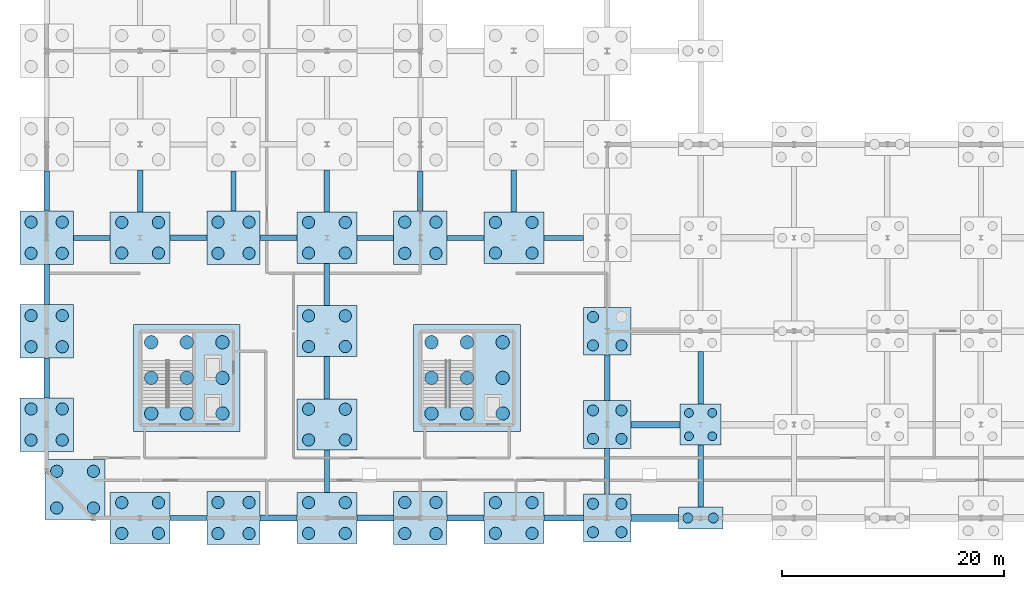
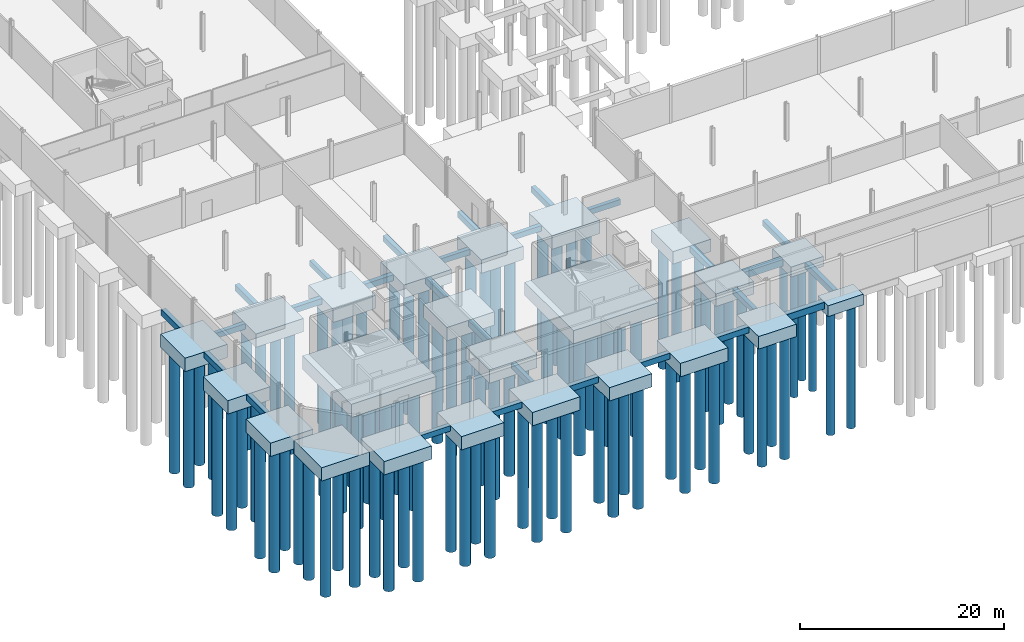
# One storey, part 1 of 51: 99 piles, 51 footings.
"""IFC4 building model written with IfcOpenShell, lengths in metres."""

from ifc_helpers import new_model, si_unit, direction, frame, origin, origin_2d, place, context, subcontext, project, spatial, rectangle, circle, extrude, material, material_profile, profile_set, type_object, element, save


model = new_model("IFC4")

# Units and contexts
model_context = context("Model", 3, precision=1e-05, world=origin(), true_north=direction((0.0, 1.0)))
body_context = subcontext(model_context, "Body", "Model", "MODEL_VIEW")
ifc_project = project(units=[si_unit("LENGTHUNIT", "METRE"), si_unit("AREAUNIT", "SQUARE_METRE"), si_unit("VOLUMEUNIT", "CUBIC_METRE"), si_unit("PLANEANGLEUNIT", "RADIAN"), si_unit("MASSUNIT", "GRAM", prefix="KILO")], contexts=[model_context])

# Site, building, storey
site_placement = place(None, origin())
site = spatial("IfcSite", under=ifc_project, at=site_placement, CompositionType="ELEMENT")
building_placement = place(site_placement, origin())
building = spatial("IfcBuilding", under=site, at=building_placement, Name="Qalvenar Corner Mobility Hub", CompositionType="ELEMENT")
storey_placement = place(building_placement, frame((0.0, 0.0, -4.5)))
storey = spatial("IfcBuildingStorey", under=building, at=storey_placement, Name="B1", CompositionType="ELEMENT", Elevation=-4.5)

# Footings
ifc_material = material(Name="Concrete C40/50", Category="concrete")
footing_type_1 = type_object("IfcFootingType", Name="PC-28X28X12", PredefinedType="PILE_CAP", material=ifc_material)
footing_1_placement = place(storey_placement, frame((58.800048828125, 8.39990234375, -1.5498046875), z_axis=(0.0, 0.0, 1.0), x_axis=(1.0, 0.0, 0.0)))
element("IfcFooting", 1, at=footing_1_placement, inside=storey, type_object=footing_type_1, Name="Pile Cap G8-1", PredefinedType="PILE_CAP", context=body_context, shape_type="SweptSolid", body=[
    extrude(rectangle(XDim=3.699951171875, YDim=3.699951171875, at=origin_2d()), origin(), (0.0, 0.0, 1.0), 1.199951171875),
])
footing_type_2 = type_object("IfcFootingType", Name="PC-32X24X13", PredefinedType="PILE_CAP", material=ifc_material)
footing_2_placement = place(storey_placement, frame((58.800048828125, 0.0, -1.64990234375), z_axis=(0.0, 0.0, 1.0), x_axis=(1.0, 0.0, 0.0)))
element("IfcFooting", 2, at=footing_2_placement, inside=storey, type_object=footing_type_2, Name="Pile Cap G8-0", PredefinedType="PILE_CAP", context=body_context, shape_type="SweptSolid", body=[
    extrude(rectangle(XDim=4.0, YDim=2.0, at=origin_2d()), origin(), (0.0, 0.0, 1.0), 1.300048828125),
])
footing_type_3 = type_object("IfcFootingType", Name="PC-38X38X15", PredefinedType="PILE_CAP", material=ifc_material)
for number, where, z_axis, x_axis, name in (
    (3, (50.39990234375, 0.0, -1.85009765625), (0.0, 0.0, 1.0), (1.0, 0.0, 0.0), "Pile Cap G7-0"),
    (4, (50.39990234375, 8.39990234375, -1.85009765625), (0.0, 0.0, 1.0), (1.0, 0.0, 0.0), "Pile Cap G7-1"),
    (5, (50.39990234375, 16.800048828125, -1.85009765625), (0.0, 0.0, 1.0), (1.0, 0.0, 0.0), "Pile Cap G7-2"),
):
    element("IfcFooting", number, at=place(storey_placement, frame(where, z_axis=z_axis, x_axis=x_axis)), inside=storey, type_object=footing_type_3, Name=name, PredefinedType="PILE_CAP", context=body_context, shape_type="SweptSolid", body=[
        extrude(rectangle(XDim=4.300048828125, YDim=4.300048828125, at=origin_2d()), origin(), (0.0, 0.0, 1.0), 1.5),
    ])
footing_type_4 = type_object("IfcFootingType", Name="PC-46X46X16", PredefinedType="PILE_CAP", material=ifc_material)
for number, where, z_axis, x_axis, name in (
    (6, (0.0, 8.39990234375, -1.949951171875), (0.0, 0.0, 1.0), (1.0, 0.0, 0.0), "Pile Cap G1-1"),
    (7, (0.0, 16.800048828125, -1.949951171875), (0.0, 0.0, 1.0), (1.0, 0.0, 0.0), "Pile Cap G1-2"),
    (8, (0.0, 25.199951171875, -1.949951171875), (0.0, 0.0, 1.0), (1.0, 0.0, 0.0), "Pile Cap G1-3"),
    (9, (16.800048828125, 0.0, -1.949951171875), (0.0, 0.0, 1.0), (1.0, 0.0, 0.0), "Pile Cap G3-0"),
    (10, (16.800048828125, 25.199951171875, -1.949951171875), (0.0, 0.0, 1.0), (1.0, 0.0, 0.0), "Pile Cap G3-3"),
    (11, (33.60009765625, 0.0, -1.949951171875), (0.0, 0.0, 1.0), (1.0, 0.0, 0.0), "Pile Cap G5-0"),
    (12, (33.60009765625, 25.199951171875, -1.949951171875), (0.0, 0.0, 1.0), (1.0, 0.0, 0.0), "Pile Cap G5-3"),
):
    element("IfcFooting", number, at=place(storey_placement, frame(where, z_axis=z_axis, x_axis=x_axis)), inside=storey, type_object=footing_type_4, Name=name, PredefinedType="PILE_CAP", context=body_context, shape_type="SweptSolid", body=[
        extrude(rectangle(XDim=4.800048828125, YDim=4.800048828125, at=origin_2d()), origin(), (0.0, 0.0, 1.0), 1.60009765625),
    ])
footing_type_5 = type_object("IfcFootingType", Name="PC-52X42X16", PredefinedType="PILE_CAP", material=ifc_material)
footing_3_placement = place(storey_placement, frame((2.550048828125, 2.550048828125, -1.949951171875), z_axis=(0.0, 0.0, 1.0), x_axis=(1.0, 0.0, 0.0)))
element("IfcFooting", 13, at=footing_3_placement, inside=storey, type_object=footing_type_5, Name="Corner Splay Pile Cap SW", PredefinedType="PILE_CAP", context=body_context, shape_type="SweptSolid", body=[
    extrude(rectangle(XDim=5.39990234375, YDim=5.39990234375, at=origin_2d()), origin(), (0.0, 0.0, 1.0), 1.60009765625),
])
for number, where, z_axis, x_axis, name in (
    (14, (8.39990234375, 0.0, -1.949951171875), (0.0, 0.0, 1.0), (1.0, 0.0, 0.0), "Pile Cap G2-0"),
    (15, (8.39990234375, 25.199951171875, -1.949951171875), (0.0, 0.0, 1.0), (1.0, 0.0, 0.0), "Pile Cap G2-3"),
    (16, (25.199951171875, 0.0, -1.949951171875), (0.0, 0.0, 1.0), (1.0, 0.0, 0.0), "Pile Cap G4-0"),
    (17, (25.199951171875, 8.39990234375, -1.949951171875), (0.0, 0.0, 1.0), (1.0, 0.0, 0.0), "Pile Cap G4-1"),
    (18, (25.199951171875, 16.800048828125, -1.949951171875), (0.0, 0.0, 1.0), (1.0, 0.0, 0.0), "Pile Cap G4-2"),
    (19, (25.199951171875, 25.199951171875, -1.949951171875), (0.0, 0.0, 1.0), (1.0, 0.0, 0.0), "Pile Cap G4-3"),
    (20, (42.0, 0.0, -1.949951171875), (0.0, 0.0, 1.0), (1.0, 0.0, 0.0), "Pile Cap G6-0"),
    (21, (42.0, 25.199951171875, -1.949951171875), (0.0, 0.0, 1.0), (1.0, 0.0, 0.0), "Pile Cap G6-3"),
):
    element("IfcFooting", number, at=place(storey_placement, frame(where, z_axis=z_axis, x_axis=x_axis)), inside=storey, type_object=footing_type_5, Name=name, PredefinedType="PILE_CAP", context=body_context, shape_type="SweptSolid", body=[
        extrude(rectangle(XDim=5.39990234375, YDim=4.60009765625, at=origin_2d()), origin(), (0.0, 0.0, 1.0), 1.60009765625),
    ])
footing_type_6 = type_object("IfcFootingType", Name="PC-96X96X16", PredefinedType="PILE_CAP", material=ifc_material)
for number, where, z_axis, x_axis, name in (
    (22, (12.60009765625, 12.60009765625, -1.949951171875), (0.0, 0.0, 1.0), (1.0, 0.0, 0.0), "Core Pile Cap C1"),
    (23, (37.800048828125, 12.60009765625, -1.949951171875), (0.0, 0.0, 1.0), (1.0, 0.0, 0.0), "Core Pile Cap C2"),
):
    element("IfcFooting", number, at=place(storey_placement, frame(where, z_axis=z_axis, x_axis=x_axis)), inside=storey, type_object=footing_type_6, Name=name, PredefinedType="PILE_CAP", context=body_context, shape_type="SweptSolid", body=[
        extrude(rectangle(XDim=9.60009765625, YDim=9.60009765625, at=origin_2d()), origin(), (0.0, 0.0, 1.0), 1.60009765625),
    ])

# Piles
ifc_material_profile_1 = material_profile(ifc_material, circle(Radius=0.5, at=origin_2d()), Name="DIA1000")
ifc_profile_set_1 = profile_set([ifc_material_profile_1], Name="Concrete C40/50")
pile_type_1 = type_object("IfcPileType", Name="PILE-1000", PredefinedType="BORED", material=ifc_profile_set_1)
for number, where, z_axis, x_axis, name in (
    (24, (49.1201171875, -1.280029296875, -1.699951171875), (0.0, 0.0, -1.0), (1.0, 0.0, 0.0), "Bored Pile G7-0-1"),
    (25, (49.1201171875, 1.280029296875, -1.699951171875), (0.0, 0.0, -1.0), (1.0, 0.0, 0.0), "Bored Pile G7-0-2"),
    (26, (51.679931640625, -1.280029296875, -1.699951171875), (0.0, 0.0, -1.0), (1.0, 0.0, 0.0), "Bored Pile G7-0-3"),
    (27, (51.679931640625, 1.280029296875, -1.699951171875), (0.0, 0.0, -1.0), (1.0, 0.0, 0.0), "Bored Pile G7-0-4"),
    (28, (49.1201171875, 7.1201171875, -1.699951171875), (0.0, 0.0, -1.0), (1.0, 0.0, 0.0), "Bored Pile G7-1-1"),
    (29, (49.1201171875, 9.679931640625, -1.699951171875), (0.0, 0.0, -1.0), (1.0, 0.0, 0.0), "Bored Pile G7-1-2"),
    (30, (51.679931640625, 7.1201171875, -1.699951171875), (0.0, 0.0, -1.0), (1.0, 0.0, 0.0), "Bored Pile G7-1-3"),
    (31, (51.679931640625, 9.679931640625, -1.699951171875), (0.0, 0.0, -1.0), (1.0, 0.0, 0.0), "Bored Pile G7-1-4"),
    (32, (49.1201171875, 15.52001953125, -1.699951171875), (0.0, 0.0, -1.0), (1.0, 0.0, 0.0), "Bored Pile G7-2-1"),
    (33, (49.1201171875, 18.080078125, -1.699951171875), (0.0, 0.0, -1.0), (1.0, 0.0, 0.0), "Bored Pile G7-2-2"),
    (34, (51.679931640625, 15.52001953125, -1.699951171875), (0.0, 0.0, -1.0), (1.0, 0.0, 0.0), "Bored Pile G7-2-3"),
):
    element("IfcPile", number, at=place(storey_placement, frame(where, z_axis=z_axis, x_axis=x_axis)), inside=storey, type_object=pile_type_1, Name=name, PredefinedType="BORED", context=body_context, shape_type="SweptSolid", body=[
        extrude(circle(Radius=0.5, at=origin_2d()), origin(), (0.0, 0.0, 1.0), 14.800048828125),
    ])
ifc_material_profile_2 = material_profile(ifc_material, circle(Radius=0.550048828125, at=origin_2d()), Name="DIA1100")
ifc_profile_set_2 = profile_set([ifc_material_profile_2], Name="Concrete C40/50")
pile_type_2 = type_object("IfcPileType", Name="PILE-1100", PredefinedType="BORED", material=ifc_profile_set_2)
for number, where, z_axis, x_axis, name in (
    (35, (0.89990234375, 0.89990234375, -1.800048828125), (0.0, 0.0, -1.0), (1.0, 0.0, 0.0), "Bored Pile SPL-1"),
    (36, (4.199951171875, 0.89990234375, -1.800048828125), (0.0, 0.0, -1.0), (1.0, 0.0, 0.0), "Bored Pile SPL-2"),
    (37, (0.89990234375, 4.199951171875, -1.800048828125), (0.0, 0.0, -1.0), (1.0, 0.0, 0.0), "Bored Pile SPL-3"),
    (38, (4.199951171875, 4.199951171875, -1.800048828125), (0.0, 0.0, -1.0), (1.0, 0.0, 0.0), "Bored Pile SPL-4"),
    (39, (-1.39990234375, 7.0, -1.800048828125), (0.0, 0.0, -1.0), (1.0, 0.0, 0.0), "Bored Pile G1-1-1"),
    (40, (-1.39990234375, 9.800048828125, -1.800048828125), (0.0, 0.0, -1.0), (1.0, 0.0, 0.0), "Bored Pile G1-1-2"),
    (41, (1.39990234375, 7.0, -1.800048828125), (0.0, 0.0, -1.0), (1.0, 0.0, 0.0), "Bored Pile G1-1-3"),
    (42, (1.39990234375, 9.800048828125, -1.800048828125), (0.0, 0.0, -1.0), (1.0, 0.0, 0.0), "Bored Pile G1-1-4"),
    (43, (-1.39990234375, 15.39990234375, -1.800048828125), (0.0, 0.0, -1.0), (1.0, 0.0, 0.0), "Bored Pile G1-2-1"),
    (44, (-1.39990234375, 18.199951171875, -1.800048828125), (0.0, 0.0, -1.0), (1.0, 0.0, 0.0), "Bored Pile G1-2-2"),
    (45, (1.39990234375, 15.39990234375, -1.800048828125), (0.0, 0.0, -1.0), (1.0, 0.0, 0.0), "Bored Pile G1-2-3"),
    (46, (1.39990234375, 18.199951171875, -1.800048828125), (0.0, 0.0, -1.0), (1.0, 0.0, 0.0), "Bored Pile G1-2-4"),
    (47, (-1.39990234375, 23.800048828125, -1.800048828125), (0.0, 0.0, -1.0), (1.0, 0.0, 0.0), "Bored Pile G1-3-1"),
    (48, (-1.39990234375, 26.60009765625, -1.800048828125), (0.0, 0.0, -1.0), (1.0, 0.0, 0.0), "Bored Pile G1-3-2"),
    (49, (1.39990234375, 23.800048828125, -1.800048828125), (0.0, 0.0, -1.0), (1.0, 0.0, 0.0), "Bored Pile G1-3-3"),
    (50, (1.39990234375, 26.60009765625, -1.800048828125), (0.0, 0.0, -1.0), (1.0, 0.0, 0.0), "Bored Pile G1-3-4"),
    (51, (6.75, -1.3798828125, -1.800048828125), (0.0, 0.0, -1.0), (1.0, 0.0, 0.0), "Bored Pile G2-0-1"),
    (52, (6.75, 1.3798828125, -1.800048828125), (0.0, 0.0, -1.0), (1.0, 0.0, 0.0), "Bored Pile G2-0-2"),
    (53, (10.050048828125, -1.3798828125, -1.800048828125), (0.0, 0.0, -1.0), (1.0, 0.0, 0.0), "Bored Pile G2-0-3"),
    (54, (10.050048828125, 1.3798828125, -1.800048828125), (0.0, 0.0, -1.0), (1.0, 0.0, 0.0), "Bored Pile G2-0-4"),
    (55, (6.75, 23.820068359375, -1.800048828125), (0.0, 0.0, -1.0), (1.0, 0.0, 0.0), "Bored Pile G2-3-1"),
    (56, (6.75, 26.580078125, -1.800048828125), (0.0, 0.0, -1.0), (1.0, 0.0, 0.0), "Bored Pile G2-3-2"),
    (57, (10.050048828125, 23.820068359375, -1.800048828125), (0.0, 0.0, -1.0), (1.0, 0.0, 0.0), "Bored Pile G2-3-3"),
    (58, (10.050048828125, 26.580078125, -1.800048828125), (0.0, 0.0, -1.0), (1.0, 0.0, 0.0), "Bored Pile G2-3-4"),
    (59, (15.39990234375, -1.39990234375, -1.800048828125), (0.0, 0.0, -1.0), (1.0, 0.0, 0.0), "Bored Pile G3-0-1"),
    (60, (15.39990234375, 1.39990234375, -1.800048828125), (0.0, 0.0, -1.0), (1.0, 0.0, 0.0), "Bored Pile G3-0-2"),
    (61, (18.199951171875, -1.39990234375, -1.800048828125), (0.0, 0.0, -1.0), (1.0, 0.0, 0.0), "Bored Pile G3-0-3"),
    (62, (18.199951171875, 1.39990234375, -1.800048828125), (0.0, 0.0, -1.0), (1.0, 0.0, 0.0), "Bored Pile G3-0-4"),
    (63, (15.39990234375, 23.800048828125, -1.800048828125), (0.0, 0.0, -1.0), (1.0, 0.0, 0.0), "Bored Pile G3-3-1"),
    (64, (15.39990234375, 26.60009765625, -1.800048828125), (0.0, 0.0, -1.0), (1.0, 0.0, 0.0), "Bored Pile G3-3-2"),
    (65, (18.199951171875, 23.800048828125, -1.800048828125), (0.0, 0.0, -1.0), (1.0, 0.0, 0.0), "Bored Pile G3-3-3"),
    (66, (18.199951171875, 26.60009765625, -1.800048828125), (0.0, 0.0, -1.0), (1.0, 0.0, 0.0), "Bored Pile G3-3-4"),
    (67, (23.550048828125, -1.3798828125, -1.800048828125), (0.0, 0.0, -1.0), (1.0, 0.0, 0.0), "Bored Pile G4-0-1"),
    (68, (23.550048828125, 1.3798828125, -1.800048828125), (0.0, 0.0, -1.0), (1.0, 0.0, 0.0), "Bored Pile G4-0-2"),
    (69, (26.85009765625, -1.3798828125, -1.800048828125), (0.0, 0.0, -1.0), (1.0, 0.0, 0.0), "Bored Pile G4-0-3"),
    (70, (26.85009765625, 1.3798828125, -1.800048828125), (0.0, 0.0, -1.0), (1.0, 0.0, 0.0), "Bored Pile G4-0-4"),
    (71, (23.550048828125, 7.02001953125, -1.800048828125), (0.0, 0.0, -1.0), (1.0, 0.0, 0.0), "Bored Pile G4-1-1"),
    (72, (23.550048828125, 9.780029296875, -1.800048828125), (0.0, 0.0, -1.0), (1.0, 0.0, 0.0), "Bored Pile G4-1-2"),
    (73, (26.85009765625, 7.02001953125, -1.800048828125), (0.0, 0.0, -1.0), (1.0, 0.0, 0.0), "Bored Pile G4-1-3"),
    (74, (26.85009765625, 9.780029296875, -1.800048828125), (0.0, 0.0, -1.0), (1.0, 0.0, 0.0), "Bored Pile G4-1-4"),
    (75, (23.550048828125, 15.419921875, -1.800048828125), (0.0, 0.0, -1.0), (1.0, 0.0, 0.0), "Bored Pile G4-2-1"),
    (76, (23.550048828125, 18.179931640625, -1.800048828125), (0.0, 0.0, -1.0), (1.0, 0.0, 0.0), "Bored Pile G4-2-2"),
    (77, (26.85009765625, 15.419921875, -1.800048828125), (0.0, 0.0, -1.0), (1.0, 0.0, 0.0), "Bored Pile G4-2-3"),
    (78, (26.85009765625, 18.179931640625, -1.800048828125), (0.0, 0.0, -1.0), (1.0, 0.0, 0.0), "Bored Pile G4-2-4"),
    (79, (23.550048828125, 23.820068359375, -1.800048828125), (0.0, 0.0, -1.0), (1.0, 0.0, 0.0), "Bored Pile G4-3-1"),
    (80, (23.550048828125, 26.580078125, -1.800048828125), (0.0, 0.0, -1.0), (1.0, 0.0, 0.0), "Bored Pile G4-3-2"),
    (81, (26.85009765625, 23.820068359375, -1.800048828125), (0.0, 0.0, -1.0), (1.0, 0.0, 0.0), "Bored Pile G4-3-3"),
    (82, (26.85009765625, 26.580078125, -1.800048828125), (0.0, 0.0, -1.0), (1.0, 0.0, 0.0), "Bored Pile G4-3-4"),
    (83, (32.199951171875, -1.39990234375, -1.800048828125), (0.0, 0.0, -1.0), (1.0, 0.0, 0.0), "Bored Pile G5-0-1"),
    (84, (32.199951171875, 1.39990234375, -1.800048828125), (0.0, 0.0, -1.0), (1.0, 0.0, 0.0), "Bored Pile G5-0-2"),
    (85, (35.0, -1.39990234375, -1.800048828125), (0.0, 0.0, -1.0), (1.0, 0.0, 0.0), "Bored Pile G5-0-3"),
    (86, (35.0, 1.39990234375, -1.800048828125), (0.0, 0.0, -1.0), (1.0, 0.0, 0.0), "Bored Pile G5-0-4"),
    (87, (32.199951171875, 23.800048828125, -1.800048828125), (0.0, 0.0, -1.0), (1.0, 0.0, 0.0), "Bored Pile G5-3-1"),
    (88, (32.199951171875, 26.60009765625, -1.800048828125), (0.0, 0.0, -1.0), (1.0, 0.0, 0.0), "Bored Pile G5-3-2"),
    (89, (35.0, 23.800048828125, -1.800048828125), (0.0, 0.0, -1.0), (1.0, 0.0, 0.0), "Bored Pile G5-3-3"),
    (90, (35.0, 26.60009765625, -1.800048828125), (0.0, 0.0, -1.0), (1.0, 0.0, 0.0), "Bored Pile G5-3-4"),
    (91, (40.35009765625, -1.3798828125, -1.800048828125), (0.0, 0.0, -1.0), (1.0, 0.0, 0.0), "Bored Pile G6-0-1"),
    (92, (40.35009765625, 1.3798828125, -1.800048828125), (0.0, 0.0, -1.0), (1.0, 0.0, 0.0), "Bored Pile G6-0-2"),
    (93, (43.64990234375, -1.3798828125, -1.800048828125), (0.0, 0.0, -1.0), (1.0, 0.0, 0.0), "Bored Pile G6-0-3"),
    (94, (43.64990234375, 1.3798828125, -1.800048828125), (0.0, 0.0, -1.0), (1.0, 0.0, 0.0), "Bored Pile G6-0-4"),
    (95, (40.35009765625, 23.820068359375, -1.800048828125), (0.0, 0.0, -1.0), (1.0, 0.0, 0.0), "Bored Pile G6-3-1"),
    (96, (40.35009765625, 26.580078125, -1.800048828125), (0.0, 0.0, -1.0), (1.0, 0.0, 0.0), "Bored Pile G6-3-2"),
    (97, (43.64990234375, 23.820068359375, -1.800048828125), (0.0, 0.0, -1.0), (1.0, 0.0, 0.0), "Bored Pile G6-3-3"),
    (98, (43.64990234375, 26.580078125, -1.800048828125), (0.0, 0.0, -1.0), (1.0, 0.0, 0.0), "Bored Pile G6-3-4"),
):
    element("IfcPile", number, at=place(storey_placement, frame(where, z_axis=z_axis, x_axis=x_axis)), inside=storey, type_object=pile_type_2, Name=name, PredefinedType="BORED", context=body_context, shape_type="SweptSolid", body=[
        extrude(circle(Radius=0.550048828125, at=origin_2d()), origin(), (0.0, 0.0, 1.0), 14.699951171875),
    ])
ifc_material_profile_3 = material_profile(ifc_material, circle(Radius=0.60009765625, at=origin_2d()), Name="DIA1200")
ifc_profile_set_3 = profile_set([ifc_material_profile_3], Name="Concrete C40/50")
pile_type_3 = type_object("IfcPileType", Name="PILE-1200", PredefinedType="BORED", material=ifc_profile_set_3)
for number, where, z_axis, x_axis, name in (
    (99, (9.39990234375, 9.39990234375, -1.800048828125), (0.0, 0.0, -1.0), (1.0, 0.0, 0.0), "Bored Pile C1-01"),
    (100, (9.39990234375, 12.60009765625, -1.800048828125), (0.0, 0.0, -1.0), (1.0, 0.0, 0.0), "Bored Pile C1-02"),
    (101, (9.39990234375, 15.800048828125, -1.800048828125), (0.0, 0.0, -1.0), (1.0, 0.0, 0.0), "Bored Pile C1-03"),
    (102, (12.60009765625, 9.39990234375, -1.800048828125), (0.0, 0.0, -1.0), (1.0, 0.0, 0.0), "Bored Pile C1-04"),
    (103, (12.60009765625, 12.60009765625, -1.800048828125), (0.0, 0.0, -1.0), (1.0, 0.0, 0.0), "Bored Pile C1-05"),
    (104, (12.60009765625, 15.800048828125, -1.800048828125), (0.0, 0.0, -1.0), (1.0, 0.0, 0.0), "Bored Pile C1-06"),
    (105, (15.800048828125, 9.39990234375, -1.800048828125), (0.0, 0.0, -1.0), (1.0, 0.0, 0.0), "Bored Pile C1-07"),
    (106, (15.800048828125, 12.60009765625, -1.800048828125), (0.0, 0.0, -1.0), (1.0, 0.0, 0.0), "Bored Pile C1-08"),
    (107, (15.800048828125, 15.800048828125, -1.800048828125), (0.0, 0.0, -1.0), (1.0, 0.0, 0.0), "Bored Pile C1-09"),
    (108, (34.60009765625, 9.39990234375, -1.800048828125), (0.0, 0.0, -1.0), (1.0, 0.0, 0.0), "Bored Pile C2-01"),
    (109, (34.60009765625, 12.60009765625, -1.800048828125), (0.0, 0.0, -1.0), (1.0, 0.0, 0.0), "Bored Pile C2-02"),
    (110, (34.60009765625, 15.800048828125, -1.800048828125), (0.0, 0.0, -1.0), (1.0, 0.0, 0.0), "Bored Pile C2-03"),
    (111, (37.800048828125, 9.39990234375, -1.800048828125), (0.0, 0.0, -1.0), (1.0, 0.0, 0.0), "Bored Pile C2-04"),
    (112, (37.800048828125, 12.60009765625, -1.800048828125), (0.0, 0.0, -1.0), (1.0, 0.0, 0.0), "Bored Pile C2-05"),
    (113, (37.800048828125, 15.800048828125, -1.800048828125), (0.0, 0.0, -1.0), (1.0, 0.0, 0.0), "Bored Pile C2-06"),
    (114, (41.0, 9.39990234375, -1.800048828125), (0.0, 0.0, -1.0), (1.0, 0.0, 0.0), "Bored Pile C2-07"),
    (115, (41.0, 12.60009765625, -1.800048828125), (0.0, 0.0, -1.0), (1.0, 0.0, 0.0), "Bored Pile C2-08"),
    (116, (41.0, 15.800048828125, -1.800048828125), (0.0, 0.0, -1.0), (1.0, 0.0, 0.0), "Bored Pile C2-09"),
):
    element("IfcPile", number, at=place(storey_placement, frame(where, z_axis=z_axis, x_axis=x_axis)), inside=storey, type_object=pile_type_3, Name=name, PredefinedType="BORED", context=body_context, shape_type="SweptSolid", body=[
        extrude(circle(Radius=0.60009765625, at=origin_2d()), origin(), (0.0, 0.0, 1.0), 14.699951171875),
    ])
ifc_material_profile_4 = material_profile(ifc_material, circle(Radius=0.39990234375, at=origin_2d()), Name="DIA800")
ifc_profile_set_4 = profile_set([ifc_material_profile_4], Name="Concrete C40/50")
pile_type_4 = type_object("IfcPileType", Name="PILE-800", PredefinedType="BORED", material=ifc_profile_set_4)
for number, where, z_axis, x_axis, name in (
    (117, (57.75, 7.35009765625, -1.39990234375), (0.0, 0.0, -1.0), (1.0, 0.0, 0.0), "Bored Pile G8-1-1"),
    (118, (57.75, 9.449951171875, -1.39990234375), (0.0, 0.0, -1.0), (1.0, 0.0, 0.0), "Bored Pile G8-1-2"),
    (119, (59.85009765625, 7.35009765625, -1.39990234375), (0.0, 0.0, -1.0), (1.0, 0.0, 0.0), "Bored Pile G8-1-3"),
    (120, (59.85009765625, 9.449951171875, -1.39990234375), (0.0, 0.0, -1.0), (1.0, 0.0, 0.0), "Bored Pile G8-1-4"),
):
    element("IfcPile", number, at=place(storey_placement, frame(where, z_axis=z_axis, x_axis=x_axis)), inside=storey, type_object=pile_type_4, Name=name, PredefinedType="BORED", context=body_context, shape_type="SweptSolid", body=[
        extrude(circle(Radius=0.39990234375, at=origin_2d()), origin(), (0.0, 0.0, 1.0), 15.10009765625),
    ])
ifc_material_profile_5 = material_profile(ifc_material, circle(Radius=0.449951171875, at=origin_2d()), Name="DIA900")
ifc_profile_set_5 = profile_set([ifc_material_profile_5], Name="Concrete C40/50")
pile_type_5 = type_object("IfcPileType", Name="PILE-900", PredefinedType="BORED", material=ifc_profile_set_5)
for number, where, z_axis, x_axis, name in (
    (121, (57.64990234375, 0.0, -1.5), (0.0, 0.0, -1.0), (1.0, 0.0, 0.0), "Bored Pile G8-0-1"),
    (122, (59.949951171875, 0.0, -1.5), (0.0, 0.0, -1.0), (1.0, 0.0, 0.0), "Bored Pile G8-0-2"),
):
    element("IfcPile", number, at=place(storey_placement, frame(where, z_axis=z_axis, x_axis=x_axis)), inside=storey, type_object=pile_type_5, Name=name, PredefinedType="BORED", context=body_context, shape_type="SweptSolid", body=[
        extrude(circle(Radius=0.449951171875, at=origin_2d()), origin(), (0.0, 0.0, 1.0), 15.0),
    ])

# Footings
ifc_material_profile_6 = material_profile(ifc_material, rectangle(XDim=0.449951171875, YDim=0.64990234375, at=origin_2d()), Name="RC450x650")
ifc_profile_set_6 = profile_set([ifc_material_profile_6], Name="Concrete C40/50")
footing_type_7 = type_object("IfcFootingType", Name="TB-450X650", PredefinedType="FOOTING_BEAM", material=ifc_profile_set_6)
footing_4_placement = place(storey_placement, frame((2.39990234375, 25.199951171875, -0.675048828125), z_axis=(1.0, 0.0, 0.0), x_axis=(0.0, 1.0, 0.0)))
element("IfcFooting", 123, at=footing_4_placement, inside=storey, type_object=footing_type_7, Name="Foundation Tie Beam TB-003", PredefinedType="FOOTING_BEAM", context=body_context, shape_type="SweptSolid", body=[
    extrude(rectangle(XDim=0.449951171875, YDim=0.64990234375, at=origin_2d()), origin(), (0.0, 0.0, 1.0), 3.300048828125),
])
footing_5_placement = place(storey_placement, frame((11.10009765625, 0.0, -0.675048828125), z_axis=(1.0, 0.0, 0.0), x_axis=(0.0, 1.0, 0.0)))
element("IfcFooting", 124, at=footing_5_placement, inside=storey, type_object=footing_type_7, Name="Foundation Tie Beam TB-018", PredefinedType="FOOTING_BEAM", context=body_context, shape_type="SweptSolid", body=[
    extrude(rectangle(XDim=0.449951171875, YDim=0.64990234375, at=origin_2d()), origin(), (0.0, 0.0, 1.0), 3.2998046875),
])
footing_6_placement = place(storey_placement, frame((16.800048828125, 27.60009765625, -0.675048828125), z_axis=(0.0, 1.0, 0.0), x_axis=(-1.0, 0.0, 0.0)))
element("IfcFooting", 125, at=footing_6_placement, inside=storey, type_object=footing_type_7, Name="Foundation Tie Beam TB-033", PredefinedType="FOOTING_BEAM", context=body_context, shape_type="SweptSolid", body=[
    extrude(rectangle(XDim=0.449951171875, YDim=0.64990234375, at=origin_2d()), origin(), (0.0, 0.0, 1.0), 3.599853515625),
])
footing_7_placement = place(storey_placement, frame((25.199951171875, 2.300048828125, -0.675048828125), z_axis=(0.0, 1.0, 0.0), x_axis=(-1.0, 0.0, 0.0)))
element("IfcFooting", 126, at=footing_7_placement, inside=storey, type_object=footing_type_7, Name="Foundation Tie Beam TB-045", PredefinedType="FOOTING_BEAM", context=body_context, shape_type="SweptSolid", body=[
    extrude(rectangle(XDim=0.449951171875, YDim=0.64990234375, at=origin_2d()), origin(), (0.0, 0.0, 1.0), 3.800048828125),
])
for number, where, z_axis, x_axis, name in (
    (127, (27.89990234375, 25.199951171875, -0.675048828125), (1.0, 0.0, 0.0), (0.0, 1.0, 0.0), "Foundation Tie Beam TB-048"),
    (128, (36.0, 25.199951171875, -0.675048828125), (1.0, 0.0, 0.0), (0.0, 1.0, 0.0), "Foundation Tie Beam TB-066"),
):
    element("IfcFooting", number, at=place(storey_placement, frame(where, z_axis=z_axis, x_axis=x_axis)), inside=storey, type_object=footing_type_7, Name=name, PredefinedType="FOOTING_BEAM", context=body_context, shape_type="SweptSolid", body=[
        extrude(rectangle(XDim=0.449951171875, YDim=0.64990234375, at=origin_2d()), origin(), (0.0, 0.0, 1.0), 3.300048828125),
    ])
footing_8_placement = place(storey_placement, frame((44.699951171875, 25.199951171875, -0.675048828125), z_axis=(1.0, 0.0, 0.0), x_axis=(0.0, 1.0, 0.0)))
element("IfcFooting", 129, at=footing_8_placement, inside=storey, type_object=footing_type_7, Name="Foundation Tie Beam TB-078", PredefinedType="FOOTING_BEAM", context=body_context, shape_type="SweptSolid", body=[
    extrude(rectangle(XDim=0.449951171875, YDim=0.64990234375, at=origin_2d()), origin(), (0.0, 0.0, 1.0), 3.550048828125),
])
footing_9_placement = place(storey_placement, frame((50.39990234375, 2.14990234375, -0.675048828125), z_axis=(0.0, 1.0, 0.0), x_axis=(-1.0, 0.0, 0.0)))
element("IfcFooting", 130, at=footing_9_placement, inside=storey, type_object=footing_type_7, Name="Foundation Tie Beam TB-084", PredefinedType="FOOTING_BEAM", context=body_context, shape_type="SweptSolid", body=[
    extrude(rectangle(XDim=0.449951171875, YDim=0.64990234375, at=origin_2d()), origin(), (0.0, 0.0, 1.0), 4.10009765625),
])
ifc_material_profile_7 = material_profile(ifc_material, rectangle(XDim=0.5, YDim=0.699951171875, at=origin_2d()), Name="RC500x700")
ifc_profile_set_7 = profile_set([ifc_material_profile_7], Name="Concrete C40/50")
footing_type_8 = type_object("IfcFootingType", Name="TB-500X700", PredefinedType="FOOTING_BEAM", material=ifc_profile_set_7)
footing_10_placement = place(storey_placement, frame((0.0, 10.800048828125, -0.699951171875), z_axis=(0.0, 1.0, 0.0), x_axis=(-1.0, 0.0, 0.0)))
element("IfcFooting", 131, at=footing_10_placement, inside=storey, type_object=footing_type_8, Name="Foundation Tie Beam TB-001", PredefinedType="FOOTING_BEAM", context=body_context, shape_type="SweptSolid", body=[
    extrude(rectangle(XDim=0.5, YDim=0.699951171875, at=origin_2d()), origin(), (0.0, 0.0, 1.0), 3.599853515625),
])
footing_11_placement = place(storey_placement, frame((0.0, 19.199951171875, -0.699951171875), z_axis=(0.0, 1.0, 0.0), x_axis=(-1.0, 0.0, 0.0)))
element("IfcFooting", 132, at=footing_11_placement, inside=storey, type_object=footing_type_8, Name="Foundation Tie Beam TB-002", PredefinedType="FOOTING_BEAM", context=body_context, shape_type="SweptSolid", body=[
    extrude(rectangle(XDim=0.5, YDim=0.699951171875, at=origin_2d()), origin(), (0.0, 0.0, 1.0), 3.60009765625),
])
footing_12_placement = place(storey_placement, frame((0.0, 27.60009765625, -0.699951171875), z_axis=(0.0, 1.0, 0.0), x_axis=(-1.0, 0.0, 0.0)))
element("IfcFooting", 133, at=footing_12_placement, inside=storey, type_object=footing_type_8, Name="Foundation Tie Beam TB-004", PredefinedType="FOOTING_BEAM", context=body_context, shape_type="SweptSolid", body=[
    extrude(rectangle(XDim=0.5, YDim=0.699951171875, at=origin_2d()), origin(), (0.0, 0.0, 1.0), 3.599853515625),
])
footing_13_placement = place(storey_placement, frame((11.10009765625, 25.199951171875, -0.699951171875), z_axis=(1.0, 0.0, 0.0), x_axis=(0.0, 1.0, 0.0)))
element("IfcFooting", 134, at=footing_13_placement, inside=storey, type_object=footing_type_8, Name="Foundation Tie Beam TB-019", PredefinedType="FOOTING_BEAM", context=body_context, shape_type="SweptSolid", body=[
    extrude(rectangle(XDim=0.5, YDim=0.699951171875, at=origin_2d()), origin(), (0.0, 0.0, 1.0), 3.2998046875),
])
footing_14_placement = place(storey_placement, frame((8.39990234375, 27.5, -0.699951171875), z_axis=(0.0, 1.0, 0.0), x_axis=(-1.0, 0.0, 0.0)))
element("IfcFooting", 135, at=footing_14_placement, inside=storey, type_object=footing_type_8, Name="Foundation Tie Beam TB-020", PredefinedType="FOOTING_BEAM", context=body_context, shape_type="SweptSolid", body=[
    extrude(rectangle(XDim=0.5, YDim=0.699951171875, at=origin_2d()), origin(), (0.0, 0.0, 1.0), 3.800048828125),
])
for number, where, z_axis, x_axis, name in (
    (136, (19.199951171875, 0.0, -0.699951171875), (1.0, 0.0, 0.0), (0.0, 1.0, 0.0), "Foundation Tie Beam TB-031"),
    (137, (19.199951171875, 25.199951171875, -0.699951171875), (1.0, 0.0, 0.0), (0.0, 1.0, 0.0), "Foundation Tie Beam TB-032"),
    (138, (27.89990234375, 0.0, -0.699951171875), (1.0, 0.0, 0.0), (0.0, 1.0, 0.0), "Foundation Tie Beam TB-044"),
):
    element("IfcFooting", number, at=place(storey_placement, frame(where, z_axis=z_axis, x_axis=x_axis)), inside=storey, type_object=footing_type_8, Name=name, PredefinedType="FOOTING_BEAM", context=body_context, shape_type="SweptSolid", body=[
        extrude(rectangle(XDim=0.5, YDim=0.699951171875, at=origin_2d()), origin(), (0.0, 0.0, 1.0), 3.300048828125),
    ])
footing_15_placement = place(storey_placement, frame((25.199951171875, 10.699951171875, -0.699951171875), z_axis=(0.0, 1.0, 0.0), x_axis=(-1.0, 0.0, 0.0)))
element("IfcFooting", 139, at=footing_15_placement, inside=storey, type_object=footing_type_8, Name="Foundation Tie Beam TB-046", PredefinedType="FOOTING_BEAM", context=body_context, shape_type="SweptSolid", body=[
    extrude(rectangle(XDim=0.5, YDim=0.699951171875, at=origin_2d()), origin(), (0.0, 0.0, 1.0), 3.800048828125),
])
footing_16_placement = place(storey_placement, frame((25.199951171875, 19.10009765625, -0.699951171875), z_axis=(0.0, 1.0, 0.0), x_axis=(-1.0, 0.0, 0.0)))
element("IfcFooting", 140, at=footing_16_placement, inside=storey, type_object=footing_type_8, Name="Foundation Tie Beam TB-047", PredefinedType="FOOTING_BEAM", context=body_context, shape_type="SweptSolid", body=[
    extrude(rectangle(XDim=0.5, YDim=0.699951171875, at=origin_2d()), origin(), (0.0, 0.0, 1.0), 3.7998046875),
])
footing_17_placement = place(storey_placement, frame((25.199951171875, 27.5, -0.699951171875), z_axis=(0.0, 1.0, 0.0), x_axis=(-1.0, 0.0, 0.0)))
element("IfcFooting", 141, at=footing_17_placement, inside=storey, type_object=footing_type_8, Name="Foundation Tie Beam TB-049", PredefinedType="FOOTING_BEAM", context=body_context, shape_type="SweptSolid", body=[
    extrude(rectangle(XDim=0.5, YDim=0.699951171875, at=origin_2d()), origin(), (0.0, 0.0, 1.0), 3.800048828125),
])
footing_18_placement = place(storey_placement, frame((36.0, 0.0, -0.699951171875), z_axis=(1.0, 0.0, 0.0), x_axis=(0.0, 1.0, 0.0)))
element("IfcFooting", 142, at=footing_18_placement, inside=storey, type_object=footing_type_8, Name="Foundation Tie Beam TB-065", PredefinedType="FOOTING_BEAM", context=body_context, shape_type="SweptSolid", body=[
    extrude(rectangle(XDim=0.5, YDim=0.699951171875, at=origin_2d()), origin(), (0.0, 0.0, 1.0), 3.300048828125),
])
footing_19_placement = place(storey_placement, frame((33.60009765625, 27.60009765625, -0.699951171875), z_axis=(0.0, 1.0, 0.0), x_axis=(-1.0, 0.0, 0.0)))
element("IfcFooting", 143, at=footing_19_placement, inside=storey, type_object=footing_type_8, Name="Foundation Tie Beam TB-067", PredefinedType="FOOTING_BEAM", context=body_context, shape_type="SweptSolid", body=[
    extrude(rectangle(XDim=0.5, YDim=0.699951171875, at=origin_2d()), origin(), (0.0, 0.0, 1.0), 3.599853515625),
])
footing_20_placement = place(storey_placement, frame((44.699951171875, 0.0, -0.699951171875), z_axis=(1.0, 0.0, 0.0), x_axis=(0.0, 1.0, 0.0)))
element("IfcFooting", 144, at=footing_20_placement, inside=storey, type_object=footing_type_8, Name="Foundation Tie Beam TB-077", PredefinedType="FOOTING_BEAM", context=body_context, shape_type="SweptSolid", body=[
    extrude(rectangle(XDim=0.5, YDim=0.699951171875, at=origin_2d()), origin(), (0.0, 0.0, 1.0), 3.550048828125),
])
footing_21_placement = place(storey_placement, frame((42.0, 27.5, -0.699951171875), z_axis=(0.0, 1.0, 0.0), x_axis=(-1.0, 0.0, 0.0)))
element("IfcFooting", 145, at=footing_21_placement, inside=storey, type_object=footing_type_8, Name="Foundation Tie Beam TB-079", PredefinedType="FOOTING_BEAM", context=body_context, shape_type="SweptSolid", body=[
    extrude(rectangle(XDim=0.5, YDim=0.699951171875, at=origin_2d()), origin(), (0.0, 0.0, 1.0), 3.800048828125),
])
footing_22_placement = place(storey_placement, frame((50.39990234375, 10.550048828125, -0.699951171875), z_axis=(0.0, 1.0, 0.0), x_axis=(-1.0, 0.0, 0.0)))
element("IfcFooting", 146, at=footing_22_placement, inside=storey, type_object=footing_type_8, Name="Foundation Tie Beam TB-086", PredefinedType="FOOTING_BEAM", context=body_context, shape_type="SweptSolid", body=[
    extrude(rectangle(XDim=0.5, YDim=0.699951171875, at=origin_2d()), origin(), (0.0, 0.0, 1.0), 4.099853515625),
])
footing_23_placement = place(storey_placement, frame((58.800048828125, 1.0, -0.699951171875), z_axis=(0.0, 1.0, 0.0), x_axis=(-1.0, 0.0, 0.0)))
element("IfcFooting", 147, at=footing_23_placement, inside=storey, type_object=footing_type_8, Name="Foundation Tie Beam TB-101", PredefinedType="FOOTING_BEAM", context=body_context, shape_type="SweptSolid", body=[
    extrude(rectangle(XDim=0.5, YDim=0.699951171875, at=origin_2d()), origin(), (0.0, 0.0, 1.0), 5.550048828125),
])
footing_24_placement = place(storey_placement, frame((58.800048828125, 10.25, -0.699951171875), z_axis=(0.0, 1.0, 0.0), x_axis=(-1.0, 0.0, 0.0)))
element("IfcFooting", 148, at=footing_24_placement, inside=storey, type_object=footing_type_8, Name="Foundation Tie Beam TB-103", PredefinedType="FOOTING_BEAM", context=body_context, shape_type="SweptSolid", body=[
    extrude(rectangle(XDim=0.5, YDim=0.699951171875, at=origin_2d()), origin(), (0.0, 0.0, 1.0), 4.699951171875),
])
ifc_material_profile_8 = material_profile(ifc_material, rectangle(XDim=0.60009765625, YDim=0.800048828125, at=origin_2d()), Name="RC600x800")
ifc_profile_set_8 = profile_set([ifc_material_profile_8], Name="Concrete C40/50")
footing_type_9 = type_object("IfcFootingType", Name="TB-600X800", PredefinedType="FOOTING_BEAM", material=ifc_profile_set_8)
footing_25_placement = place(storey_placement, frame((52.550048828125, 0.0, -0.75), z_axis=(1.0, 0.0, 0.0), x_axis=(0.0, 1.0, 0.0)))
element("IfcFooting", 149, at=footing_25_placement, inside=storey, type_object=footing_type_9, Name="Foundation Tie Beam TB-083", PredefinedType="FOOTING_BEAM", context=body_context, shape_type="SweptSolid", body=[
    extrude(rectangle(XDim=0.60009765625, YDim=0.800048828125, at=origin_2d()), origin(), (0.0, 0.0, 1.0), 4.25),
])
footing_26_placement = place(storey_placement, frame((52.550048828125, 8.39990234375, -0.75), z_axis=(1.0, 0.0, 0.0), x_axis=(0.0, 1.0, 0.0)))
element("IfcFooting", 150, at=footing_26_placement, inside=storey, type_object=footing_type_9, Name="Foundation Tie Beam TB-085", PredefinedType="FOOTING_BEAM", context=body_context, shape_type="SweptSolid", body=[
    extrude(rectangle(XDim=0.60009765625, YDim=0.800048828125, at=origin_2d()), origin(), (0.0, 0.0, 1.0), 4.39990234375),
])

save(model, "model.ifc")
